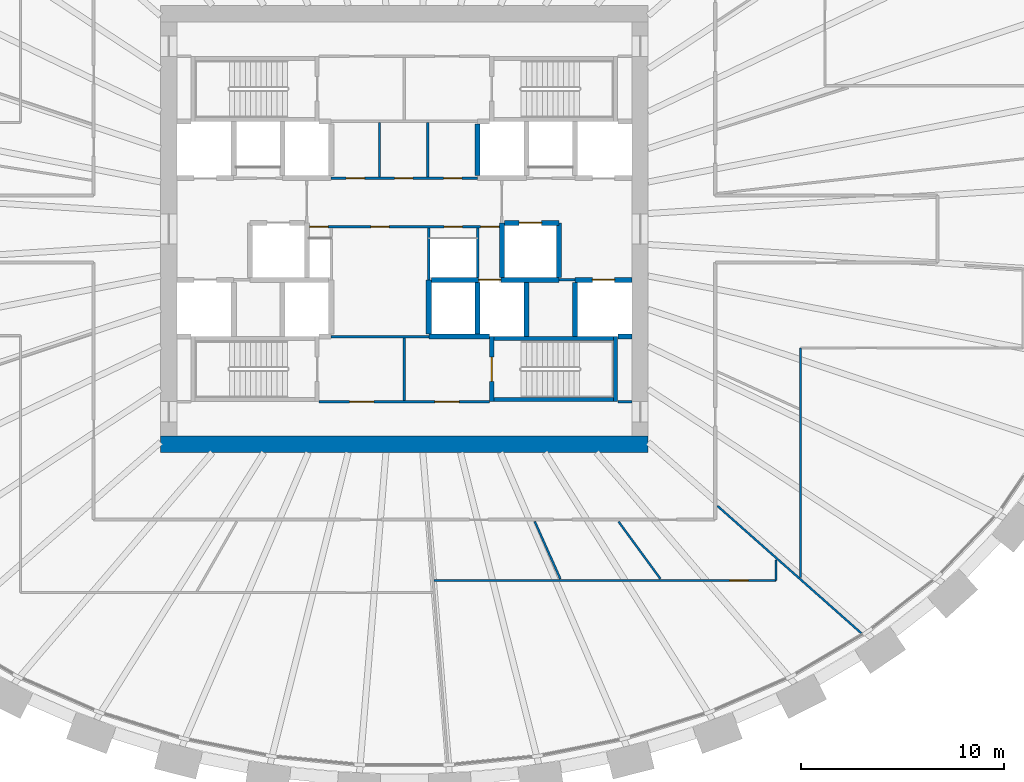
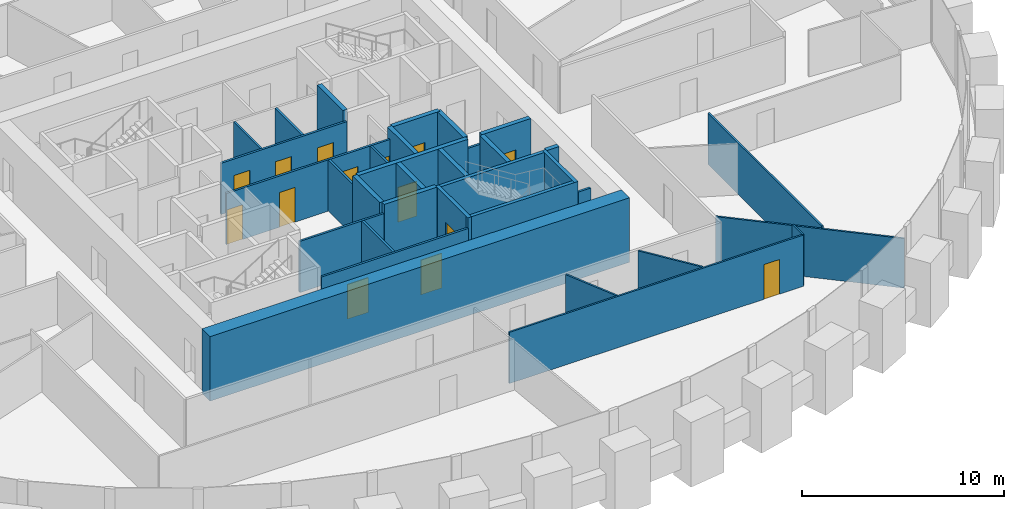
# One storey, part 7 of 11: 34 walls, 14 doors, 14 openings.
"""IFC4 building model written with IfcOpenShell, lengths in metres."""

from ifc_helpers import new_model, si_unit, direction, frame, frame_2d, origin, place, context, subcontext, project, spatial, rectangle, extrude, source, transform, mapped, material, layer, layer_set, type_object, element, fill, save


model = new_model("IFC4")

# Units and contexts
model_context = context("Model", 3, precision=1e-05, world=origin(), true_north=direction((0.0, 1.0)))
body_context = subcontext(model_context, "Body", "Model", "MODEL_VIEW")
ifc_project = project(units=[si_unit("LENGTHUNIT", "METRE"), si_unit("AREAUNIT", "SQUARE_METRE"), si_unit("VOLUMEUNIT", "CUBIC_METRE"), si_unit("PLANEANGLEUNIT", "RADIAN"), si_unit("MASSUNIT", "GRAM", prefix="KILO")], contexts=[model_context])

# Site, building, storey
site_placement = place(None, origin())
site = spatial("IfcSite", under=ifc_project, at=site_placement, CompositionType="ELEMENT")
building_placement = place(site_placement, origin())
building = spatial("IfcBuilding", under=site, at=building_placement, Name="Embergate Tower", CompositionType="ELEMENT")
storey_placement = place(building_placement, frame((0.0, 0.0, 215.10009765625)))
storey = spatial("IfcBuildingStorey", under=building, at=storey_placement, Name="L49", CompositionType="ELEMENT", Elevation=215.10009765625)

# Walls
ifc_material_1 = material(Name="Concrete C70", Category="concrete")
ifc_layer_1 = layer(ifc_material_1, 0.800048828125)
ifc_layer_set_1 = layer_set([ifc_layer_1], Name="Concrete C70")
wall_type_1 = type_object("IfcWallType", Name="Core outer wall C70 800", PredefinedType="SHEAR", material=ifc_layer_set_1)
shared_shape_1 = source(origin(), body_context, "Body", "SweptSolid", [
    extrude(rectangle(XDim=24.0, YDim=0.800048828125, at=frame_2d((12.0, 0.0))), origin(), (0.0, 0.0, 1.0), 3.900146484375),
])
wall_1_placement = place(storey_placement, frame((-12.0, -10.60009765625, -0.2001953125), z_axis=(0.0, 0.0, 1.0), x_axis=(1.0, 0.0, 0.0)))
element("IfcWall", 1, at=wall_1_placement, inside=storey, type_object=wall_type_1, Name="CW-L49-S", PredefinedType="SHEAR", context=body_context, shape_type="MappedRepresentation", body=[
    mapped(shared_shape_1, transform((0.0, 0.0, 0.0))),
])
ifc_material_2 = material(Name="Concrete C50", Category="concrete")
ifc_layer_2 = layer(ifc_material_2, 0.25)
ifc_layer_set_2 = layer_set([ifc_layer_2], Name="Concrete C50")
wall_type_2 = type_object("IfcWallType", Name="Hoistway wall reinforced concrete 250", PredefinedType="SHEAR", material=ifc_layer_set_2)
shared_shape_2 = source(origin(), body_context, "Body", "SweptSolid", [
    extrude(rectangle(XDim=2.675048828125, YDim=0.25, at=frame_2d((1.33740234375, 0.0))), origin(), (0.0, 0.0, 1.0), 3.699951171875),
])
for number, where, z_axis, x_axis, name in (
    (2, (1.199951171875, -2.5, 0.0), (0.0, 0.0, 1.0), (0.0, -1.0, 0.0), "HW-1 wall"),
    (3, (4.800048828125, -2.375, 0.0), (0.0, 0.0, 1.0), (0.0, 1.0, 0.0), "HW-1 wall"),
):
    element("IfcWall", number, at=place(storey_placement, frame(where, z_axis=z_axis, x_axis=x_axis)), inside=storey, type_object=wall_type_2, Name=name, PredefinedType="SHEAR", context=body_context, shape_type="MappedRepresentation", body=[
        mapped(shared_shape_2, transform((0.0, 0.0, 0.0))),
    ])

# Wall, opening, door
wall_2_placement = place(storey_placement, frame((7.60009765625, 0.300048828125, 0.0), z_axis=(0.0, 0.0, 1.0), x_axis=(-1.0, 0.0, 0.0)))
wall_2 = element("IfcWall", 4, at=wall_2_placement, inside=storey, type_object=wall_type_2, Name="HW-1 wall", PredefinedType="SHEAR", context=body_context, shape_type="MappedRepresentation", body=[
    mapped(shared_shape_2, transform((0.0, 0.0, 0.0))),
])
shared_shape_3 = source(origin(), body_context, "Body", "SweptSolid", [
    extrude(rectangle(XDim=1.10009765625, YDim=2.10009765625, at=frame_2d((0.550048828125, 1.050048828125))), frame((0.0, 0.135009765625, 0.0), z_axis=(0.0, -1.0, 0.0), x_axis=(1.0, 0.0, 0.0)), (0.0, 0.0, 1.0), 0.27001953125),
])
opening_1_placement = place(wall_2_placement, frame((0.85009765625, 0.0, 0.0)))
opening_1 = element("IfcOpeningElement", 5, at=opening_1_placement, cuts=wall_2, Name="Opening LD", PredefinedType="OPENING", context=body_context, shape_type="MappedRepresentation", body=[
    mapped(shared_shape_3, transform((0.0, 0.0, 0.0))),
])
ifc_material_3 = material(Name="Landing door sliding 1100")
door_type_1 = type_object("IfcDoorType", Name="Landing door sliding 1100", OperationType="SLIDING_TO_LEFT", PredefinedType="DOOR", material=ifc_material_3)
shared_shape_4 = source(origin(), body_context, "Body", "SweptSolid", [
    extrude(rectangle(XDim=1.10009765625, YDim=2.10009765625, at=frame_2d((0.550048828125, 1.050048828125))), frame((0.0, 0.02490234375, 0.0), z_axis=(0.0, -1.0, 0.0), x_axis=(1.0, 0.0, 0.0)), (0.0, 0.0, 1.0), 0.050048828125),
])
door_1_placement = place(opening_1_placement, origin())
door_1 = element("IfcDoor", 6, at=door_1_placement, inside=storey, type_object=door_type_1, Name="LD door", OperationType="SLIDING_TO_LEFT", OverallHeight=2.10009765625, OverallWidth=1.10009765625, PredefinedType="DOOR", context=body_context, shape_type="MappedRepresentation", body=[
    mapped(shared_shape_4, transform((0.0, 0.0, 0.0))),
])
fill(opening_1, door_1)

# Walls
wall_3_placement = place(storey_placement, frame((7.60009765625, -2.375, 0.0), z_axis=(0.0, 0.0, 1.0), x_axis=(0.0, 1.0, 0.0)))
element("IfcWall", 7, at=wall_3_placement, inside=storey, type_object=wall_type_2, Name="HW-1 wall", PredefinedType="SHEAR", context=body_context, shape_type="MappedRepresentation", body=[
    mapped(shared_shape_2, transform((0.0, 0.0, 0.0))),
])
ifc_layer_3 = layer(ifc_material_2, 0.199951171875)
ifc_layer_set_3 = layer_set([ifc_layer_3], Name="Concrete C50")
wall_type_3 = type_object("IfcWallType", Name="Stair enclosure wall reinforced concrete 250", PredefinedType="SHEAR", material=ifc_layer_set_3)
shared_shape_5 = source(origin(), body_context, "Body", "SweptSolid", [
    extrude(rectangle(XDim=6.300048828125, YDim=0.199951171875, at=frame_2d((3.14990234375, 0.0))), origin(), (0.0, 0.0, 1.0), 3.699951171875),
])
for number, where, z_axis, x_axis, name in (
    (8, (4.199951171875, -5.39990234375, 0.0), (0.0, 0.0, 1.0), (1.0, 0.0, 0.0), "SE-1 wall"),
    (9, (4.199951171875, -8.39990234375, 0.0), (0.0, 0.0, 1.0), (1.0, 0.0, 0.0), "SE-1 wall"),
):
    element("IfcWall", number, at=place(storey_placement, frame(where, z_axis=z_axis, x_axis=x_axis)), inside=storey, type_object=wall_type_3, Name=name, PredefinedType="SHEAR", context=body_context, shape_type="MappedRepresentation", body=[
        mapped(shared_shape_5, transform((0.0, 0.0, 0.0))),
    ])
shared_shape_6 = source(origin(), body_context, "Body", "SweptSolid", [
    extrude(rectangle(XDim=2.550048828125, YDim=0.25, at=frame_2d((1.27490234375, 0.0))), origin(), (0.0, 0.0, 1.0), 3.699951171875),
])
for number, where, z_axis, x_axis, name in (
    (10, (3.60009765625, 5.175048828125, 0.0), (0.0, 0.0, 1.0), (0.0, -1.0, 0.0), "HW-1 wall"),
    (11, (3.60009765625, -5.175048828125, 0.0), (0.0, 0.0, 1.0), (0.0, 1.0, 0.0), "HW-1 wall"),
):
    element("IfcWall", number, at=place(storey_placement, frame(where, z_axis=z_axis, x_axis=x_axis)), inside=storey, type_object=wall_type_2, Name=name, PredefinedType="SHEAR", context=body_context, shape_type="MappedRepresentation", body=[
        mapped(shared_shape_6, transform((0.0, 0.0, 0.0))),
    ])

# Wall, opening, door
shared_shape_7 = source(origin(), body_context, "Body", "SweptSolid", [
    extrude(rectangle(XDim=3.199951171875, YDim=0.199951171875, at=frame_2d((1.60009765625, 0.0))), origin(), (0.0, 0.0, 1.0), 3.699951171875),
])
wall_4_placement = place(storey_placement, frame((4.300048828125, -5.300048828125, 0.0), z_axis=(0.0, 0.0, 1.0), x_axis=(0.0, -1.0, 0.0)))
wall_4 = element("IfcWall", 12, at=wall_4_placement, inside=storey, type_object=wall_type_3, Name="SE-1 wall", PredefinedType="SHEAR", context=body_context, shape_type="MappedRepresentation", body=[
    mapped(shared_shape_7, transform((0.0, 0.0, 0.0))),
])
shared_shape_8 = source(origin(), body_context, "Body", "SweptSolid", [
    extrude(rectangle(XDim=1.199951171875, YDim=2.10009765625, at=frame_2d((0.60009765625, 1.050048828125))), frame((0.0, 0.10986328125, 0.0), z_axis=(0.0, -1.0, 0.0), x_axis=(1.0, 0.0, 0.0)), (0.0, 0.0, 1.0), 0.219970703125),
])
opening_2_placement = place(wall_4_placement, frame((1.0, 0.0, 0.0)))
opening_2 = element("IfcOpeningElement", 13, at=opening_2_placement, cuts=wall_4, Name="Opening IF-2", PredefinedType="OPENING", context=body_context, shape_type="MappedRepresentation", body=[
    mapped(shared_shape_8, transform((0.0, 0.0, 0.0))),
])
ifc_material_4 = material(Name="Stair enclosure door 1200")
door_type_2 = type_object("IfcDoorType", Name="Stair enclosure door 1200", OperationType="SINGLE_SWING_LEFT", PredefinedType="DOOR", material=ifc_material_4)
shared_shape_9 = source(origin(), body_context, "Body", "SweptSolid", [
    extrude(rectangle(XDim=1.199951171875, YDim=2.10009765625, at=frame_2d((0.60009765625, 1.050048828125))), frame((0.0, 0.02490234375, 0.0), z_axis=(0.0, -1.0, 0.0), x_axis=(1.0, 0.0, 0.0)), (0.0, 0.0, 1.0), 0.050048828125),
])
door_2_placement = place(opening_2_placement, origin())
door_2 = element("IfcDoor", 14, at=door_2_placement, inside=storey, type_object=door_type_2, Name="IF-2 door", OperationType="SINGLE_SWING_LEFT", OverallHeight=2.10009765625, OverallWidth=1.199951171875, PredefinedType="DOOR", context=body_context, shape_type="MappedRepresentation", body=[
    mapped(shared_shape_9, transform((0.0, 0.0, 0.0))),
])
fill(opening_2, door_2)

# Wall, openings, doors
ifc_material_5 = material(Name="Core partition blockwork 120")
ifc_layer_4 = layer(ifc_material_5, 0.1201171875)
ifc_layer_set_4 = layer_set([ifc_layer_4], Name="Core partition blockwork 120")
wall_type_4 = type_object("IfcWallType", Name="Core partition blockwork 120", PredefinedType="PARTITIONING", material=ifc_layer_set_4)
shared_shape_10 = source(origin(), body_context, "Body", "SweptSolid", [
    extrude(rectangle(XDim=8.39990234375, YDim=0.1201171875, at=frame_2d((4.199951171875, 0.0))), origin(), (0.0, 0.0, 1.0), 3.099853515625),
])
wall_5_placement = place(storey_placement, frame((-4.199951171875, -8.5, 0.0), z_axis=(0.0, 0.0, 1.0), x_axis=(1.0, 0.0, 0.0)))
wall_5 = element("IfcWall", 15, at=wall_5_placement, inside=storey, type_object=wall_type_4, Name="IP-3 wall", PredefinedType="PARTITIONING", context=body_context, shape_type="MappedRepresentation", body=[
    mapped(shared_shape_10, transform((0.0, 0.0, 0.0))),
])
shared_shape_11 = source(origin(), body_context, "Body", "SweptSolid", [
    extrude(rectangle(XDim=1.199951171875, YDim=2.10009765625, at=frame_2d((0.60009765625, 1.050048828125))), frame((0.0, 0.070068359375, 0.0), z_axis=(0.0, -1.0, 0.0), x_axis=(1.0, 0.0, 0.0)), (0.0, 0.0, 1.0), 0.14013671875),
])
opening_3_placement = place(wall_5_placement, frame((1.5, 0.0, 0.0)))
opening_3 = element("IfcOpeningElement", 16, at=opening_3_placement, cuts=wall_5, Name="Opening IF-3f", PredefinedType="OPENING", context=body_context, shape_type="MappedRepresentation", body=[
    mapped(shared_shape_11, transform((0.0, 0.0, 0.0))),
])
opening_4_placement = place(wall_5_placement, frame((5.699951171875, 0.0, 0.0)))
opening_4 = element("IfcOpeningElement", 17, at=opening_4_placement, cuts=wall_5, Name="Opening IF-3f", PredefinedType="OPENING", context=body_context, shape_type="MappedRepresentation", body=[
    mapped(shared_shape_11, transform((0.0, 0.0, 0.0))),
])
ifc_material_6 = material(Name="Lobby fire door pair 1200")
door_type_3 = type_object("IfcDoorType", Name="Lobby fire door pair 1200", OperationType="DOUBLE_DOOR_SINGLE_SWING", PredefinedType="DOOR", material=ifc_material_6)
door_3_placement = place(opening_3_placement, origin())
door_3 = element("IfcDoor", 18, at=door_3_placement, inside=storey, type_object=door_type_3, Name="IF-3 door", OperationType="DOUBLE_DOOR_SINGLE_SWING", OverallHeight=2.10009765625, OverallWidth=1.199951171875, PredefinedType="DOOR", context=body_context, shape_type="MappedRepresentation", body=[
    mapped(shared_shape_9, transform((0.0, 0.0, 0.0))),
])
fill(opening_3, door_3)
door_4_placement = place(opening_4_placement, origin())
door_4 = element("IfcDoor", 19, at=door_4_placement, inside=storey, type_object=door_type_3, Name="IF-3 door", OperationType="DOUBLE_DOOR_SINGLE_SWING", OverallHeight=2.10009765625, OverallWidth=1.199951171875, PredefinedType="DOOR", context=body_context, shape_type="MappedRepresentation", body=[
    mapped(shared_shape_9, transform((0.0, 0.0, 0.0))),
])
fill(opening_4, door_4)

# Walls
shared_shape_12 = source(origin(), body_context, "Body", "SweptSolid", [
    extrude(rectangle(XDim=2.679931640625, YDim=0.1201171875, at=frame_2d((1.33984375, 0.0))), origin(), (0.0, 0.0, 1.0), 3.099853515625),
])
for number, where, z_axis, x_axis, name in (
    (20, (-1.22412109375, 2.56005859375, 0.0), (0.0, 0.0, 1.0), (0.0, 1.0, 0.0), "IP-3 wall"),
    (21, (1.152099609375, 2.56005859375, 0.0), (0.0, 0.0, 1.0), (0.0, 1.0, 0.0), "IP-3 wall"),
):
    element("IfcWall", number, at=place(storey_placement, frame(where, z_axis=z_axis, x_axis=x_axis)), inside=storey, type_object=wall_type_4, Name=name, PredefinedType="PARTITIONING", context=body_context, shape_type="MappedRepresentation", body=[
        mapped(shared_shape_12, transform((0.0, 0.0, 0.0))),
    ])

# Wall, opening, door
shared_shape_13 = source(origin(), body_context, "Body", "SweptSolid", [
    extrude(rectangle(XDim=2.800048828125, YDim=0.25, at=frame_2d((1.39990234375, 0.0))), origin(), (0.0, 0.0, 1.0), 3.699951171875),
])
wall_6_placement = place(storey_placement, frame((11.199951171875, -2.5, 0.0), z_axis=(0.0, 0.0, 1.0), x_axis=(-1.0, 0.0, 0.0)))
wall_6 = element("IfcWall", 22, at=wall_6_placement, inside=storey, type_object=wall_type_2, Name="HW-1 wall", PredefinedType="SHEAR", context=body_context, shape_type="MappedRepresentation", body=[
    mapped(shared_shape_13, transform((0.0, 0.0, 0.0))),
])
opening_5_placement = place(wall_6_placement, frame((0.85009765625, 0.0, 0.0)))
opening_5 = element("IfcOpeningElement", 23, at=opening_5_placement, cuts=wall_6, Name="Opening LD", PredefinedType="OPENING", context=body_context, shape_type="MappedRepresentation", body=[
    mapped(shared_shape_3, transform((0.0, 0.0, 0.0))),
])
door_5_placement = place(opening_5_placement, origin())
door_5 = element("IfcDoor", 24, at=door_5_placement, inside=storey, type_object=door_type_1, Name="LD door", OperationType="SLIDING_TO_RIGHT", OverallHeight=2.10009765625, OverallWidth=1.10009765625, PredefinedType="DOOR", context=body_context, shape_type="MappedRepresentation", body=[
    mapped(shared_shape_4, transform((0.0, 0.0, 0.0))),
])
fill(opening_5, door_5)

shared_shape_14 = source(origin(), body_context, "Body", "SweptSolid", [
    extrude(rectangle(XDim=6.27294921875, YDim=0.25, at=frame_2d((3.136474609375, 0.0))), origin(), (0.0, 0.0, 1.0), 3.699951171875),
])
wall_7_placement = place(storey_placement, frame((7.597900390625, -2.5, 0.0), z_axis=(0.0, 0.0, 1.0), x_axis=(-1.0, 0.0, 0.0)))
wall_7 = element("IfcWall", 25, at=wall_7_placement, inside=storey, type_object=wall_type_2, Name="HW-1 wall", PredefinedType="SHEAR", context=body_context, shape_type="MappedRepresentation", body=[
    mapped(shared_shape_14, transform((0.0, 0.0, 0.0))),
])
opening_6_placement = place(wall_7_placement, frame((2.847900390625, 0.0, 0.0)))
opening_6 = element("IfcOpeningElement", 26, at=opening_6_placement, cuts=wall_7, Name="Opening LD", PredefinedType="OPENING", context=body_context, shape_type="MappedRepresentation", body=[
    mapped(shared_shape_3, transform((0.0, 0.0, 0.0))),
])
door_6_placement = place(opening_6_placement, origin())
door_6 = element("IfcDoor", 27, at=door_6_placement, inside=storey, type_object=door_type_1, Name="LD door", OperationType="SLIDING_TO_RIGHT", OverallHeight=2.10009765625, OverallWidth=1.10009765625, PredefinedType="DOOR", context=body_context, shape_type="MappedRepresentation", body=[
    mapped(shared_shape_4, transform((0.0, 0.0, 0.0))),
])
fill(opening_6, door_6)

# Walls
shared_shape_15 = source(origin(), body_context, "Body", "SweptSolid", [
    extrude(rectangle(XDim=3.0, YDim=0.25, at=frame_2d((1.5, 0.0))), origin(), (0.0, 0.0, 1.0), 3.699951171875),
])
wall_8_placement = place(storey_placement, frame((1.199951171875, -5.300048828125, 0.0), z_axis=(0.0, 0.0, 1.0), x_axis=(1.0, 0.0, 0.0)))
element("IfcWall", 28, at=wall_8_placement, inside=storey, type_object=wall_type_2, Name="HW-1 wall", PredefinedType="SHEAR", context=body_context, shape_type="MappedRepresentation", body=[
    mapped(shared_shape_15, transform((0.0, 0.0, 0.0))),
])
shared_shape_16 = source(origin(), body_context, "Body", "SweptSolid", [
    extrude(rectangle(XDim=3.196044921875, YDim=0.199951171875, at=frame_2d((1.59814453125, 0.0))), origin(), (0.0, 0.0, 1.0), 3.699951171875),
])
wall_9_placement = place(storey_placement, frame((10.39990234375, -8.498046875, 0.0), z_axis=(0.0, 0.0, 1.0), x_axis=(0.0, 1.0, 0.0)))
element("IfcWall", 29, at=wall_9_placement, inside=storey, type_object=wall_type_3, Name="SE-1 wall", PredefinedType="SHEAR", context=body_context, shape_type="MappedRepresentation", body=[
    mapped(shared_shape_16, transform((0.0, 0.0, 0.0))),
])
shared_shape_17 = source(origin(), body_context, "Body", "SweptSolid", [
    extrude(rectangle(XDim=0.697998046875, YDim=0.25, at=frame_2d((0.34912109375, 0.0))), origin(), (0.0, 0.0, 1.0), 3.699951171875),
])
wall_10_placement = place(storey_placement, frame((10.501953125, -5.300048828125, 0.0), z_axis=(0.0, 0.0, 1.0), x_axis=(1.0, 0.0, 0.0)))
element("IfcWall", 30, at=wall_10_placement, inside=storey, type_object=wall_type_2, Name="HW-1 wall", PredefinedType="SHEAR", context=body_context, shape_type="MappedRepresentation", body=[
    mapped(shared_shape_17, transform((0.0, 0.0, 0.0))),
])
shared_shape_18 = source(origin(), body_context, "Body", "SweptSolid", [
    extrude(rectangle(XDim=2.671142578125, YDim=0.25, at=frame_2d((1.33544921875, 0.0))), origin(), (0.0, 0.0, 1.0), 3.699951171875),
])
for number, where, z_axis, x_axis, name in (
    (31, (6.0, -5.298095703125, 0.0), (0.0, 0.0, 1.0), (0.0, 1.0, 0.0), "HW-1 wall"),
    (32, (8.39990234375, -2.626953125, 0.0), (0.0, 0.0, 1.0), (0.0, -1.0, 0.0), "HW-1 wall"),
):
    element("IfcWall", number, at=place(storey_placement, frame(where, z_axis=z_axis, x_axis=x_axis)), inside=storey, type_object=wall_type_2, Name=name, PredefinedType="SHEAR", context=body_context, shape_type="MappedRepresentation", body=[
        mapped(shared_shape_18, transform((0.0, 0.0, 0.0))),
    ])

# Wall, openings, doors
shared_shape_19 = source(origin(), body_context, "Body", "SweptSolid", [
    extrude(rectangle(XDim=9.35009765625, YDim=0.1201171875, at=frame_2d((4.675048828125, 0.0))), origin(), (0.0, 0.0, 1.0), 3.099853515625),
])
wall_11_placement = place(storey_placement, frame((-4.675048828125, 0.10009765625, 0.0), z_axis=(0.0, 0.0, 1.0), x_axis=(1.0, 0.0, 0.0)))
wall_11 = element("IfcWall", 33, at=wall_11_placement, inside=storey, type_object=wall_type_4, Name="IP-3 wall", PredefinedType="PARTITIONING", context=body_context, shape_type="MappedRepresentation", body=[
    mapped(shared_shape_19, transform((0.0, 0.0, 0.0))),
])
shared_shape_20 = source(origin(), body_context, "Body", "SweptSolid", [
    extrude(rectangle(XDim=0.89990234375, YDim=2.10009765625, at=frame_2d((0.449951171875, 1.050048828125))), frame((0.0, 0.070068359375, 0.0), z_axis=(0.0, -1.0, 0.0), x_axis=(1.0, 0.0, 0.0)), (0.0, 0.0, 1.0), 0.14013671875),
])
opening_7_placement = place(wall_11_placement, frame((8.425048828125, 0.0, 0.0)))
opening_7 = element("IfcOpeningElement", 34, at=opening_7_placement, cuts=wall_11, Name="Opening IF-3c", PredefinedType="OPENING", context=body_context, shape_type="MappedRepresentation", body=[
    mapped(shared_shape_20, transform((0.0, 0.0, 0.0))),
])
opening_8_placement = place(wall_11_placement, frame((0.02490234375, 0.0, 0.0)))
opening_8 = element("IfcOpeningElement", 35, at=opening_8_placement, cuts=wall_11, Name="Opening ID-1", PredefinedType="OPENING", context=body_context, shape_type="MappedRepresentation", body=[
    mapped(shared_shape_20, transform((0.0, 0.0, 0.0))),
])
opening_9_placement = place(wall_11_placement, frame((6.625, 0.0, 0.0)))
opening_9 = element("IfcOpeningElement", 36, at=opening_9_placement, cuts=wall_11, Name="Opening ID-1", PredefinedType="OPENING", context=body_context, shape_type="MappedRepresentation", body=[
    mapped(shared_shape_20, transform((0.0, 0.0, 0.0))),
])
opening_10_placement = place(wall_11_placement, frame((3.02490234375, 0.0, 0.0)))
opening_10 = element("IfcOpeningElement", 37, at=opening_10_placement, cuts=wall_11, Name="Opening ID-1", PredefinedType="OPENING", context=body_context, shape_type="MappedRepresentation", body=[
    mapped(shared_shape_20, transform((0.0, 0.0, 0.0))),
])
ifc_material_7 = material(Name="Lobby fire door pair 900")
door_type_4 = type_object("IfcDoorType", Name="Lobby fire door pair 900", OperationType="DOUBLE_DOOR_SINGLE_SWING", PredefinedType="DOOR", material=ifc_material_7)
shared_shape_21 = source(origin(), body_context, "Body", "SweptSolid", [
    extrude(rectangle(XDim=0.89990234375, YDim=2.10009765625, at=frame_2d((0.449951171875, 1.050048828125))), frame((0.0, 0.02490234375, 0.0), z_axis=(0.0, -1.0, 0.0), x_axis=(1.0, 0.0, 0.0)), (0.0, 0.0, 1.0), 0.050048828125),
])
door_7_placement = place(opening_7_placement, origin())
door_7 = element("IfcDoor", 38, at=door_7_placement, inside=storey, type_object=door_type_4, Name="IF-3 door", OperationType="DOUBLE_DOOR_SINGLE_SWING", OverallHeight=2.10009765625, OverallWidth=0.89990234375, PredefinedType="DOOR", context=body_context, shape_type="MappedRepresentation", body=[
    mapped(shared_shape_21, transform((0.0, 0.0, 0.0))),
])
fill(opening_7, door_7)
ifc_material_8 = material(Name="Interior door 900")
door_type_5 = type_object("IfcDoorType", Name="Interior door 900", OperationType="SINGLE_SWING_LEFT", PredefinedType="DOOR", material=ifc_material_8)
door_8_placement = place(opening_8_placement, origin())
door_8 = element("IfcDoor", 39, at=door_8_placement, inside=storey, type_object=door_type_5, Name="ID-1 door", OperationType="SINGLE_SWING_RIGHT", OverallHeight=2.10009765625, OverallWidth=0.89990234375, PredefinedType="DOOR", context=body_context, shape_type="MappedRepresentation", body=[
    mapped(shared_shape_21, transform((0.0, 0.0, 0.0))),
])
fill(opening_8, door_8)
door_9_placement = place(opening_9_placement, origin())
door_9 = element("IfcDoor", 40, at=door_9_placement, inside=storey, type_object=door_type_5, Name="ID-1 door", OperationType="SINGLE_SWING_RIGHT", OverallHeight=2.10009765625, OverallWidth=0.89990234375, PredefinedType="DOOR", context=body_context, shape_type="MappedRepresentation", body=[
    mapped(shared_shape_21, transform((0.0, 0.0, 0.0))),
])
fill(opening_9, door_9)
door_10_placement = place(opening_10_placement, origin())
door_10 = element("IfcDoor", 41, at=door_10_placement, inside=storey, type_object=door_type_5, Name="ID-1 door", OperationType="SINGLE_SWING_LEFT", OverallHeight=2.10009765625, OverallWidth=0.89990234375, PredefinedType="DOOR", context=body_context, shape_type="MappedRepresentation", body=[
    mapped(shared_shape_21, transform((0.0, 0.0, 0.0))),
])
fill(opening_10, door_10)

shared_shape_22 = source(origin(), body_context, "Body", "SweptSolid", [
    extrude(rectangle(XDim=7.2001953125, YDim=0.1201171875, at=frame_2d((3.60009765625, 0.0))), origin(), (0.0, 0.0, 1.0), 3.099853515625),
])
wall_12_placement = place(storey_placement, frame((3.60009765625, 2.5, 0.0), z_axis=(0.0, 0.0, 1.0), x_axis=(-1.0, 0.0, 0.0)))
wall_12 = element("IfcWall", 42, at=wall_12_placement, inside=storey, type_object=wall_type_4, Name="IP-3 wall", PredefinedType="PARTITIONING", context=body_context, shape_type="MappedRepresentation", body=[
    mapped(shared_shape_22, transform((0.0, 0.0, 0.0))),
])
opening_11_placement = place(wall_12_placement, frame((5.56201171875, 0.0, 0.0)))
opening_11 = element("IfcOpeningElement", 43, at=opening_11_placement, cuts=wall_12, Name="Opening ID-1", PredefinedType="OPENING", context=body_context, shape_type="MappedRepresentation", body=[
    mapped(shared_shape_20, transform((0.0, 0.0, 0.0))),
])
opening_12_placement = place(wall_12_placement, frame((3.18603515625, 0.0, 0.0)))
opening_12 = element("IfcOpeningElement", 44, at=opening_12_placement, cuts=wall_12, Name="Opening ID-1", PredefinedType="OPENING", context=body_context, shape_type="MappedRepresentation", body=[
    mapped(shared_shape_20, transform((0.0, 0.0, 0.0))),
])
opening_13_placement = place(wall_12_placement, frame((0.77392578125, 0.0, 0.0)))
opening_13 = element("IfcOpeningElement", 45, at=opening_13_placement, cuts=wall_12, Name="Opening ID-1", PredefinedType="OPENING", context=body_context, shape_type="MappedRepresentation", body=[
    mapped(shared_shape_20, transform((0.0, 0.0, 0.0))),
])
door_11_placement = place(opening_11_placement, origin())
door_11 = element("IfcDoor", 46, at=door_11_placement, inside=storey, type_object=door_type_5, Name="ID-1 door", OperationType="SINGLE_SWING_RIGHT", OverallHeight=2.10009765625, OverallWidth=0.89990234375, PredefinedType="DOOR", context=body_context, shape_type="MappedRepresentation", body=[
    mapped(shared_shape_21, transform((0.0, 0.0, 0.0))),
])
fill(opening_11, door_11)
door_12_placement = place(opening_12_placement, origin())
door_12 = element("IfcDoor", 47, at=door_12_placement, inside=storey, type_object=door_type_5, Name="ID-1 door", OperationType="SINGLE_SWING_RIGHT", OverallHeight=2.10009765625, OverallWidth=0.89990234375, PredefinedType="DOOR", context=body_context, shape_type="MappedRepresentation", body=[
    mapped(shared_shape_21, transform((0.0, 0.0, 0.0))),
])
fill(opening_12, door_12)
door_13_placement = place(opening_13_placement, origin())
door_13 = element("IfcDoor", 48, at=door_13_placement, inside=storey, type_object=door_type_5, Name="ID-1 door", OperationType="SINGLE_SWING_LEFT", OverallHeight=2.10009765625, OverallWidth=0.89990234375, PredefinedType="DOOR", context=body_context, shape_type="MappedRepresentation", body=[
    mapped(shared_shape_21, transform((0.0, 0.0, 0.0))),
])
fill(opening_13, door_13)

# Walls
shared_shape_23 = source(origin(), body_context, "Body", "SweptSolid", [
    extrude(rectangle(XDim=2.5400390625, YDim=0.1201171875, at=frame_2d((1.27001953125, 0.0))), origin(), (0.0, 0.0, 1.0), 3.099853515625),
])
wall_13_placement = place(storey_placement, frame((1.199951171875, 0.0400390625, 0.0), z_axis=(0.0, 0.0, 1.0), x_axis=(0.0, -1.0, 0.0)))
element("IfcWall", 49, at=wall_13_placement, inside=storey, type_object=wall_type_4, Name="IP-3 wall", PredefinedType="PARTITIONING", context=body_context, shape_type="MappedRepresentation", body=[
    mapped(shared_shape_23, transform((0.0, 0.0, 0.0))),
])
shared_shape_24 = source(origin(), body_context, "Body", "SweptSolid", [
    extrude(rectangle(XDim=2.4150390625, YDim=0.1201171875, at=frame_2d((1.20751953125, 0.0))), origin(), (0.0, 0.0, 1.0), 3.099853515625),
])
wall_14_placement = place(storey_placement, frame((3.60009765625, -2.375, 0.0), z_axis=(0.0, 0.0, 1.0), x_axis=(0.0, 1.0, 0.0)))
element("IfcWall", 50, at=wall_14_placement, inside=storey, type_object=wall_type_4, Name="IP-3 wall", PredefinedType="PARTITIONING", context=body_context, shape_type="MappedRepresentation", body=[
    mapped(shared_shape_24, transform((0.0, 0.0, 0.0))),
])
shared_shape_25 = source(origin(), body_context, "Body", "SweptSolid", [
    extrude(rectangle(XDim=3.079833984375, YDim=0.1201171875, at=frame_2d((1.5400390625, 0.0))), origin(), (0.0, 0.0, 1.0), 3.099853515625),
])
wall_15_placement = place(storey_placement, frame((0.0, -8.43994140625, 0.0), z_axis=(0.0, 0.0, 1.0), x_axis=(0.0, 1.0, 0.0)))
element("IfcWall", 51, at=wall_15_placement, inside=storey, type_object=wall_type_4, Name="IP-3 wall", PredefinedType="PARTITIONING", context=body_context, shape_type="MappedRepresentation", body=[
    mapped(shared_shape_25, transform((0.0, 0.0, 0.0))),
])
shared_shape_26 = source(origin(), body_context, "Body", "SweptSolid", [
    extrude(rectangle(XDim=4.800048828125, YDim=0.1201171875, at=frame_2d((2.39990234375, 0.0))), origin(), (0.0, 0.0, 1.0), 3.099853515625),
])
wall_16_placement = place(storey_placement, frame((1.199951171875, -5.300048828125, 0.0), z_axis=(0.0, 0.0, 1.0), x_axis=(-1.0, 0.0, 0.0)))
element("IfcWall", 52, at=wall_16_placement, inside=storey, type_object=wall_type_4, Name="IP-3 wall", PredefinedType="PARTITIONING", context=body_context, shape_type="MappedRepresentation", body=[
    mapped(shared_shape_26, transform((0.0, 0.0, 0.0))),
])
shared_shape_27 = source(origin(), body_context, "Body", "SweptSolid", [
    extrude(rectangle(XDim=0.7958984375, YDim=0.1201171875, at=frame_2d((0.39794921875, 0.0))), origin(), (0.0, 0.0, 1.0), 3.099853515625),
])
wall_17_placement = place(storey_placement, frame((7.60205078125, -2.5, 0.0), z_axis=(0.0, 0.0, 1.0), x_axis=(1.0, 0.0, 0.0)))
element("IfcWall", 53, at=wall_17_placement, inside=storey, type_object=wall_type_4, Name="IP-3 wall", PredefinedType="PARTITIONING", context=body_context, shape_type="MappedRepresentation", body=[
    mapped(shared_shape_27, transform((0.0, 0.0, 0.0))),
])
shared_shape_28 = source(origin(), body_context, "Body", "SweptSolid", [
    extrude(rectangle(XDim=0.697998046875, YDim=0.1201171875, at=frame_2d((0.34912109375, 0.0))), origin(), (0.0, 0.0, 1.0), 3.099853515625),
])
wall_18_placement = place(storey_placement, frame((11.199951171875, -8.5, 0.0), z_axis=(0.0, 0.0, 1.0), x_axis=(-1.0, 0.0, 0.0)))
element("IfcWall", 54, at=wall_18_placement, inside=storey, type_object=wall_type_4, Name="IP-3 wall", PredefinedType="PARTITIONING", context=body_context, shape_type="MappedRepresentation", body=[
    mapped(shared_shape_28, transform((0.0, 0.0, 0.0))),
])
ifc_material_9 = material(Name="Partition dry-lined 100 wet")
ifc_layer_5 = layer(ifc_material_9, 0.10009765625)
ifc_layer_set_5 = layer_set([ifc_layer_5], Name="Partition dry-lined 100 wet")
wall_type_5 = type_object("IfcWallType", Name="Partition dry-lined 100 wet", PredefinedType="PLUMBINGWALL", material=ifc_layer_set_5)
shared_shape_29 = source(origin(), body_context, "Body", "SweptSolid", [
    extrude(rectangle(XDim=9.54833984375, YDim=0.10009765625, at=frame_2d((4.774169921875, 0.0))), origin(), (0.0, 0.0, 1.0), 3.0),
])
wall_19_placement = place(storey_placement, frame((22.56005859375, -19.95703125, 0.0), z_axis=(0.0, 0.0, 1.0), x_axis=(-0.749044876426, 0.662519262437, 0.0)))
element("IfcWall", 55, at=wall_19_placement, inside=storey, type_object=wall_type_5, Name="IP-1 wall", PredefinedType="PLUMBINGWALL", context=body_context, shape_type="MappedRepresentation", body=[
    mapped(shared_shape_29, transform((0.0, 0.0, 0.0))),
])
shared_shape_30 = source(origin(), body_context, "Body", "SweptSolid", [
    extrude(rectangle(XDim=3.10400390625, YDim=0.10009765625, at=frame_2d((1.552001953125, 0.0))), origin(), (0.0, 0.0, 1.0), 3.099853515625),
])
wall_20_placement = place(storey_placement, frame((6.416015625, -14.39501953125, 0.0), z_axis=(0.0, 0.0, 1.0), x_axis=(0.407196385875, -0.913340628315, 0.0)))
element("IfcWall", 56, at=wall_20_placement, inside=storey, type_object=wall_type_5, Name="IP-1 wall", PredefinedType="PLUMBINGWALL", context=body_context, shape_type="MappedRepresentation", body=[
    mapped(shared_shape_30, transform((0.0, 0.0, 0.0))),
])

# Wall, opening, door
shared_shape_31 = source(origin(), body_context, "Body", "SweptSolid", [
    extrude(rectangle(XDim=16.8359375, YDim=0.10009765625, at=frame_2d((8.41796875, 0.0))), origin(), (0.0, 0.0, 1.0), 3.099853515625),
])
wall_21_placement = place(storey_placement, frame((1.464111328125, -17.300048828125, 0.0), z_axis=(0.0, 0.0, 1.0), x_axis=(1.0, 0.0, 0.0)))
wall_21 = element("IfcWall", 57, at=wall_21_placement, inside=storey, type_object=wall_type_5, Name="IP-1 wall", PredefinedType="PLUMBINGWALL", context=body_context, shape_type="MappedRepresentation", body=[
    mapped(shared_shape_31, transform((0.0, 0.0, 0.0))),
])
shared_shape_32 = source(origin(), body_context, "Body", "SweptSolid", [
    extrude(rectangle(XDim=0.89990234375, YDim=2.10009765625, at=frame_2d((0.449951171875, 1.050048828125))), frame((0.0, 0.06005859375, 0.0), z_axis=(0.0, -1.0, 0.0), x_axis=(1.0, 0.0, 0.0)), (0.0, 0.0, 1.0), 0.1201171875),
])
opening_14_placement = place(wall_21_placement, frame((14.560302734375, 0.0, 0.0)))
opening_14 = element("IfcOpeningElement", 58, at=opening_14_placement, cuts=wall_21, Name="Opening ID-1", PredefinedType="OPENING", context=body_context, shape_type="MappedRepresentation", body=[
    mapped(shared_shape_32, transform((0.0, 0.0, 0.0))),
])
door_14_placement = place(opening_14_placement, origin())
door_14 = element("IfcDoor", 59, at=door_14_placement, inside=storey, type_object=door_type_5, Name="ID-1 door", OperationType="SINGLE_SWING_RIGHT", OverallHeight=2.10009765625, OverallWidth=0.89990234375, PredefinedType="DOOR", context=body_context, shape_type="MappedRepresentation", body=[
    mapped(shared_shape_21, transform((0.0, 0.0, 0.0))),
])
fill(opening_14, door_14)

# Walls
shared_shape_33 = source(origin(), body_context, "Body", "SweptSolid", [
    extrude(rectangle(XDim=3.489501953125, YDim=0.10009765625, at=frame_2d((1.74462890625, 0.0))), origin(), (0.0, 0.0, 1.0), 3.099853515625),
])
wall_22_placement = place(storey_placement, frame((10.5419921875, -14.405029296875, 0.0), z_axis=(0.0, 0.0, 1.0), x_axis=(0.590623348937, -0.806947371078, 0.0)))
element("IfcWall", 60, at=wall_22_placement, inside=storey, type_object=wall_type_5, Name="IP-1 wall", PredefinedType="PLUMBINGWALL", context=body_context, shape_type="MappedRepresentation", body=[
    mapped(shared_shape_33, transform((0.0, 0.0, 0.0))),
])
shared_shape_34 = source(origin(), body_context, "Body", "SweptSolid", [
    extrude(rectangle(XDim=1.0, YDim=0.10009765625, at=frame_2d((0.5, 0.0))), origin(), (0.0, 0.0, 1.0), 3.099853515625),
])
wall_23_placement = place(storey_placement, frame((18.300048828125, -17.300048828125, 0.0), z_axis=(0.0, 0.0, 1.0), x_axis=(0.0, 1.0, 0.0)))
element("IfcWall", 61, at=wall_23_placement, inside=storey, type_object=wall_type_5, Name="IP-1 wall", PredefinedType="PLUMBINGWALL", context=body_context, shape_type="MappedRepresentation", body=[
    mapped(shared_shape_34, transform((0.0, 0.0, 0.0))),
])
ifc_material_10 = material(Name="Partition dry-lined 100")
ifc_layer_6 = layer(ifc_material_10, 0.10009765625)
ifc_layer_set_6 = layer_set([ifc_layer_6], Name="Partition dry-lined 100")
wall_type_6 = type_object("IfcWallType", Name="Partition dry-lined 100", PredefinedType="PARTITIONING", material=ifc_layer_set_6)
shared_shape_35 = source(origin(), body_context, "Body", "SweptSolid", [
    extrude(rectangle(XDim=11.289794921875, YDim=0.10009765625, at=frame_2d((5.64501953125, 0.0))), origin(), (0.0, 0.0, 1.0), 3.099853515625),
])
wall_24_placement = place(storey_placement, frame((19.5, -5.85009765625, 0.0), z_axis=(0.0, 0.0, 1.0), x_axis=(0.0, -1.0, 0.0)))
element("IfcWall", 62, at=wall_24_placement, inside=storey, type_object=wall_type_6, Name="IP-1 wall", PredefinedType="PARTITIONING", context=body_context, shape_type="MappedRepresentation", body=[
    mapped(shared_shape_35, transform((0.0, 0.0, 0.0))),
])

save(model, "model.ifc")
